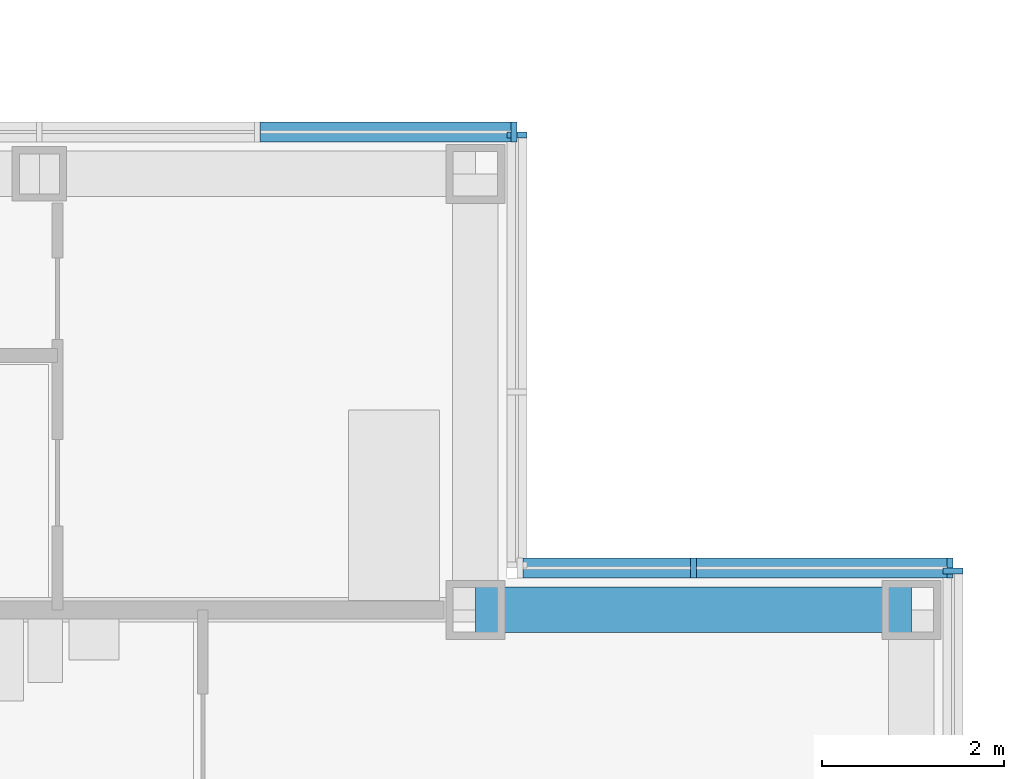
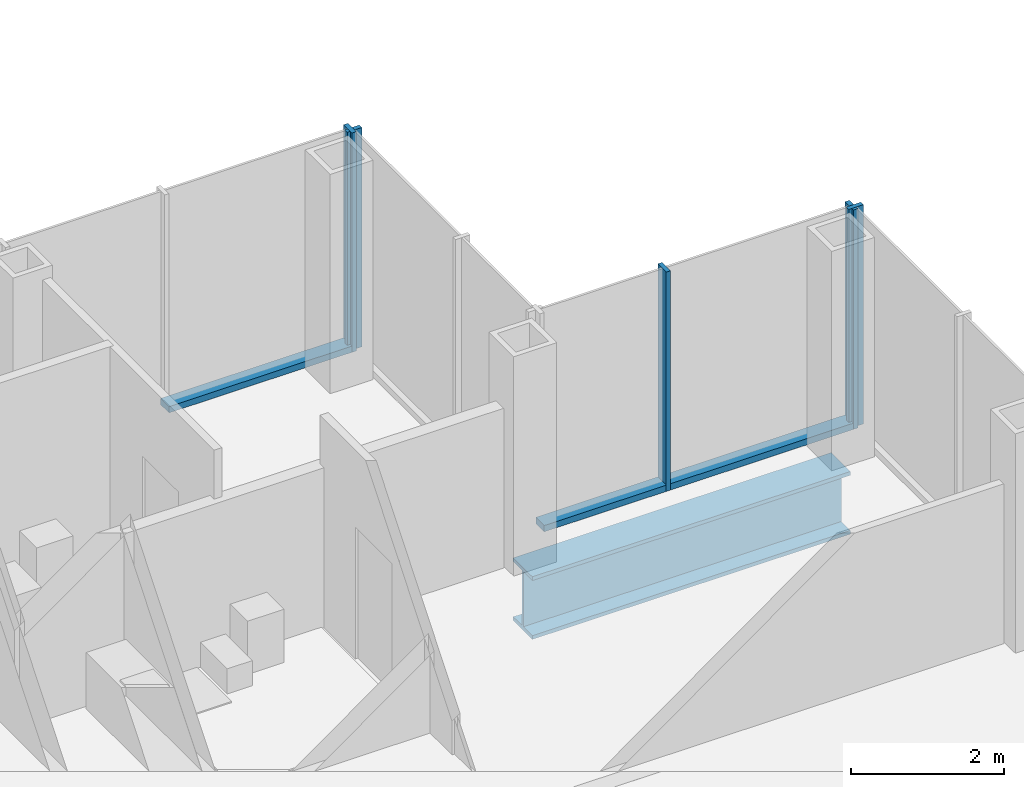
# One storey, part 9 of 19: 8 members, 1 beam, 4 elements without a shape of their own.
"""IFC4 building model written with IfcOpenShell, lengths in metres."""

from ifc_helpers import new_model, si_unit, direction, frame, origin, origin_2d, place, context, subcontext, project, spatial, rectangle, i_section, extrude, material, material_profile, profile_set, type_object, element, aggregate, save


model = new_model("IFC4")

# Units and contexts
model_context = context("Model", 3, precision=1e-05, world=origin(), true_north=direction((0.0, 1.0)))
body_context = subcontext(model_context, "Body", "Model", "MODEL_VIEW")
ifc_project = project(units=[si_unit("LENGTHUNIT", "METRE"), si_unit("AREAUNIT", "SQUARE_METRE"), si_unit("VOLUMEUNIT", "CUBIC_METRE"), si_unit("PLANEANGLEUNIT", "RADIAN"), si_unit("MASSUNIT", "GRAM", prefix="KILO")], contexts=[model_context])

# Site, building, storey
site_placement = place(None, origin())
site = spatial("IfcSite", under=ifc_project, at=site_placement, CompositionType="ELEMENT")
building_placement = place(site_placement, origin())
building = spatial("IfcBuilding", under=site, at=building_placement, Name="Kvirike Care Tower", CompositionType="ELEMENT")
storey_placement = place(building_placement, frame((0.0, 0.0, 98.0)))
storey = spatial("IfcBuildingStorey", under=building, at=storey_placement, Name="L26", CompositionType="ELEMENT", Elevation=98.0)

# Curtain wall, member
ifc_material_1 = material(Name="Anodised aluminium stick system", Category="aluminium")
curtain_wall_type = type_object("IfcCurtainWallType", Name="CW-B STICK CURTAIN WALL", PredefinedType="NOTDEFINED", material=ifc_material_1)
curtain_wall_1_placement = place(storey_placement, origin())
curtain_wall_1 = element("IfcCurtainWall", 1, at=curtain_wall_1_placement, inside=storey, type_object=curtain_wall_type, Name="Curtain wall L26 face 1", PredefinedType="NOTDEFINED")
ifc_material_2 = material(Name="Bronze anodised aluminium mullion", Category="aluminium")
ifc_material_profile_1 = material_profile(ifc_material_2, rectangle(XDim=0.06494140625, YDim=0.219970703125, at=origin_2d()), Name="CW-B MULLION 65x220")
ifc_profile_set_1 = profile_set([ifc_material_profile_1], Name="Bronze anodised aluminium mullion")
member_type_1 = type_object("IfcMemberType", Name="CW-B MULLION 65x220", PredefinedType="MULLION", material=ifc_profile_set_1)
member_1_placement = place(storey_placement, frame((43.659912109375, 38.827392578125, 0.0), z_axis=(0.0, 0.0, 1.0), x_axis=(0.0, 1.0, 0.0)))
member_1 = element("IfcMember", 2, at=member_1_placement, type_object=member_type_1, Name="CW-B mullion L26 face 1.9", PredefinedType="MULLION", context=body_context, shape_type="SweptSolid", body=[
    extrude(rectangle(XDim=0.06494140625, YDim=0.219970703125, at=origin_2d()), origin(), (0.0, 0.0, 1.0), 3.5),
])
aggregate(curtain_wall_1, [member_1])

# Curtain wall, members
curtain_wall_2_placement = place(storey_placement, origin())
curtain_wall_2 = element("IfcCurtainWall", 3, at=curtain_wall_2_placement, inside=storey, type_object=curtain_wall_type, Name="Curtain wall L26 face 2", PredefinedType="NOTDEFINED")
member_2_placement = place(storey_placement, frame((43.62744140625, 38.860107421875, 0.0), z_axis=(0.0, 0.0, 1.0), x_axis=(-1.0, 0.0, 0.0)))
member_2 = element("IfcMember", 4, at=member_2_placement, type_object=member_type_1, Name="CW-B mullion L26 face 2.1", PredefinedType="MULLION", context=body_context, shape_type="SweptSolid", body=[
    extrude(rectangle(XDim=0.06494140625, YDim=0.219970703125, at=origin_2d()), origin(), (0.0, 0.0, 1.0), 3.5),
])
member_3_placement = place(storey_placement, frame((40.800048828125, 38.860107421875, 0.0), z_axis=(0.0, 0.0, 1.0), x_axis=(-1.0, 0.0, 0.0)))
member_3 = element("IfcMember", 5, at=member_3_placement, type_object=member_type_1, Name="CW-B mullion L26 face 2.2", PredefinedType="MULLION", context=body_context, shape_type="SweptSolid", body=[
    extrude(rectangle(XDim=0.06494140625, YDim=0.219970703125, at=origin_2d()), origin(), (0.0, 0.0, 1.0), 3.5),
])

# Curtain wall, member
curtain_wall_3_placement = place(storey_placement, origin())
curtain_wall_3 = element("IfcCurtainWall", 6, at=curtain_wall_3_placement, inside=storey, type_object=curtain_wall_type, Name="Curtain wall L26 face 3", PredefinedType="NOTDEFINED")
member_4_placement = place(storey_placement, frame((38.860107421875, 43.62744140625, 0.0), z_axis=(0.0, 0.0, 1.0), x_axis=(0.0, 1.0, 0.0)))
member_4 = element("IfcMember", 7, at=member_4_placement, type_object=member_type_1, Name="CW-B mullion L26 face 3.3", PredefinedType="MULLION", context=body_context, shape_type="SweptSolid", body=[
    extrude(rectangle(XDim=0.06494140625, YDim=0.219970703125, at=origin_2d()), origin(), (0.0, 0.0, 1.0), 3.5),
])
aggregate(curtain_wall_3, [member_4])

curtain_wall_4_placement = place(storey_placement, origin())
curtain_wall_4 = element("IfcCurtainWall", 8, at=curtain_wall_4_placement, inside=storey, type_object=curtain_wall_type, Name="Curtain wall L26 face 4", PredefinedType="NOTDEFINED")
member_5_placement = place(storey_placement, frame((38.827392578125, 43.659912109375, 0.0), z_axis=(0.0, 0.0, 1.0), x_axis=(-1.0, 0.0, 0.0)))
member_5 = element("IfcMember", 9, at=member_5_placement, type_object=member_type_1, Name="CW-B mullion L26 face 4.1", PredefinedType="MULLION", context=body_context, shape_type="SweptSolid", body=[
    extrude(rectangle(XDim=0.06494140625, YDim=0.219970703125, at=origin_2d()), origin(), (0.0, 0.0, 1.0), 3.5),
])

# Member
ifc_material_3 = material(Name="Bronze anodised aluminium transom", Category="aluminium")
ifc_material_profile_2 = material_profile(ifc_material_3, rectangle(XDim=0.219970703125, YDim=0.10009765625, at=origin_2d()), Name="CW-B TRANSOM 220x100")
ifc_profile_set_2 = profile_set([ifc_material_profile_2], Name="Bronze anodised aluminium transom")
member_type_2 = type_object("IfcMemberType", Name="CW-B TRANSOM 220x100", PredefinedType="USERDEFINED", material=ifc_profile_set_2)
member_6_placement = place(storey_placement, frame((43.594970703125, 38.860107421875, 0.050048828125), z_axis=(-1.0, 0.0, 0.0), x_axis=(0.0, -1.0, 0.0)))
member_6 = element("IfcMember", 10, at=member_6_placement, type_object=member_type_2, Name="CW-B sill transom L26 face 2.1", ObjectType="TRANSOM", PredefinedType="USERDEFINED", context=body_context, shape_type="SweptSolid", body=[
    extrude(rectangle(XDim=0.219970703125, YDim=0.10009765625, at=origin_2d()), origin(), (0.0, 0.0, 1.0), 2.762451171875),
])

member_7_placement = place(storey_placement, frame((40.767578125, 38.860107421875, 0.050048828125), z_axis=(-1.0, 0.0, 0.0), x_axis=(0.0, -1.0, 0.0)))
member_7 = element("IfcMember", 11, at=member_7_placement, type_object=member_type_2, Name="CW-B sill transom L26 face 2.2", ObjectType="TRANSOM", PredefinedType="USERDEFINED", context=body_context, shape_type="SweptSolid", body=[
    extrude(rectangle(XDim=0.219970703125, YDim=0.10009765625, at=origin_2d()), origin(), (0.0, 0.0, 1.0), 1.842529296875),
])

aggregate(curtain_wall_2, [member_2, member_3, member_6, member_7])

member_8_placement = place(storey_placement, frame((38.794921875, 43.659912109375, 0.050048828125), z_axis=(-1.0, 0.0, 0.0), x_axis=(0.0, -1.0, 0.0)))
member_8 = element("IfcMember", 12, at=member_8_placement, type_object=member_type_2, Name="CW-B sill transom L26 face 4.1", ObjectType="TRANSOM", PredefinedType="USERDEFINED", context=body_context, shape_type="SweptSolid", body=[
    extrude(rectangle(XDim=0.219970703125, YDim=0.10009765625, at=origin_2d()), origin(), (0.0, 0.0, 1.0), 2.762451171875),
])

aggregate(curtain_wall_4, [member_5, member_8])

# Beam
ifc_material_4 = material(Name="Steel S355", Category="steel")
ifc_material_profile_3 = material_profile(ifc_material_4, i_section(OverallWidth=0.5, OverallDepth=1.0, WebThickness=0.030029296875, FlangeThickness=0.06005859375, at=origin_2d()), Name="PG 1000x500x30x60")
ifc_profile_set_3 = profile_set([ifc_material_profile_3], Name="Steel S355")
beam_type = type_object("IfcBeamType", Name="SPANDREL PG 1000x500x30x60", PredefinedType="SPANDREL", material=ifc_profile_set_3)
beam_placement = place(storey_placement, frame((38.39990234375, 38.39990234375, -0.669921875), z_axis=(1.0, 0.0, 0.0), x_axis=(0.0, 1.0, 0.0)))
element("IfcBeam", 13, at=beam_placement, inside=storey, type_object=beam_type, Name="Spandrel J11-J12 L26", PredefinedType="SPANDREL", context=body_context, shape_type="SweptSolid", body=[
    extrude(i_section(OverallWidth=0.5, OverallDepth=1.0, WebThickness=0.030029296875, FlangeThickness=0.06005859375, at=origin_2d()), origin(), (0.0, 0.0, 1.0), 4.800048828125),
])

save(model, "model.ifc")
